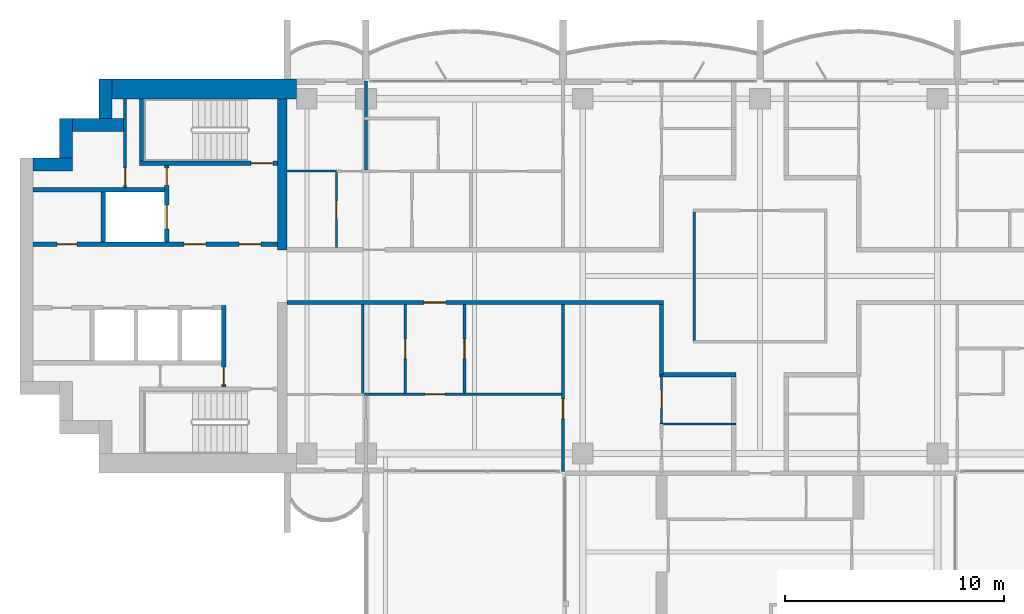
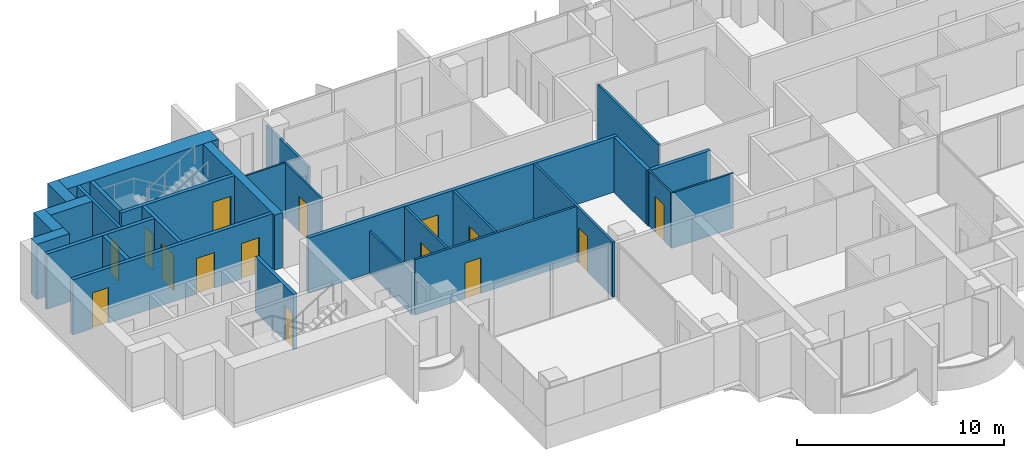
# One storey, part 9 of 18: 28 walls, 15 doors, 15 openings.
"""IFC4 building model written with IfcOpenShell, lengths in metres."""

from ifc_helpers import new_model, si_unit, direction, frame, frame_2d, origin, place, context, subcontext, project, spatial, rectangle, extrude, material, layer, layer_set, type_object, element, fill, save


model = new_model("IFC4")

# Units and contexts
model_context = context("Model", 3, precision=1e-05, world=origin(), true_north=direction((0.0, 1.0)))
body_context = subcontext(model_context, "Body", "Model", "MODEL_VIEW")
ifc_project = project(units=[si_unit("LENGTHUNIT", "METRE"), si_unit("AREAUNIT", "SQUARE_METRE"), si_unit("VOLUMEUNIT", "CUBIC_METRE"), si_unit("PLANEANGLEUNIT", "RADIAN"), si_unit("MASSUNIT", "GRAM", prefix="KILO")], contexts=[model_context])

# Site, building, storey
site_placement = place(None, origin())
site = spatial("IfcSite", under=ifc_project, at=site_placement, CompositionType="ELEMENT")
building_placement = place(site_placement, origin())
building = spatial("IfcBuilding", under=site, at=building_placement, Name="Perihelion Cross Residences", CompositionType="ELEMENT")
storey_placement = place(building_placement, frame((0.0, 0.0, 173.60009765625)))
storey = spatial("IfcBuildingStorey", under=building, at=storey_placement, Name="L42", CompositionType="ELEMENT", Elevation=173.60009765625)

# Wall, opening, door
ifc_material_1 = material(Name="Plasterboard partition")
ifc_layer_1 = layer(ifc_material_1, 0.199951171875)
ifc_layer_set_1 = layer_set([ifc_layer_1], Name="Apartment separation wall 200")
wall_type_1 = type_object("IfcWallType", Name="Apartment separation wall 200", PredefinedType="PARTITIONING", material=ifc_layer_set_1)
wall_1_placement = place(storey_placement, frame((-4.39990234375, -1.199951171875, 0.0), z_axis=(0.0, 0.0, 1.0), x_axis=(-1.0, 0.0, 0.0)))
wall_1 = element("IfcWall", 1, at=wall_1_placement, inside=storey, type_object=wall_type_1, Name="Partition L42 W017", PredefinedType="PARTITIONING", context=body_context, shape_type="SweptSolid", body=[
    extrude(rectangle(XDim=17.2001953125, YDim=0.199951171875, at=frame_2d((8.60009765625, 0.0))), origin(), (0.0, 0.0, 1.0), 3.25),
])
opening_1_placement = place(wall_1_placement, frame((9.949951171875, 0.0, 0.0)))
opening_1 = element("IfcOpeningElement", 2, at=opening_1_placement, cuts=wall_1, Name="Opening L42.A48", PredefinedType="OPENING", context=body_context, shape_type="SweptSolid", body=[
    extrude(rectangle(XDim=1.0, YDim=2.10009765625, at=frame_2d((0.5, 1.050048828125))), frame((0.0, 0.10986328125, 0.0), z_axis=(0.0, -1.0, 0.0), x_axis=(1.0, 0.0, 0.0)), (0.0, 0.0, 1.0), 0.219970703125),
])
ifc_material_2 = material(Name="Timber door leaf", Category="wood")
door_type_1 = type_object("IfcDoorType", Name="Flat entrance door 1000 x 2100", OperationType="SINGLE_SWING_LEFT", PredefinedType="DOOR", material=ifc_material_2)
door_1_placement = place(opening_1_placement, origin())
door_1 = element("IfcDoor", 3, at=door_1_placement, inside=storey, type_object=door_type_1, Name="Door L42.A48", OperationType="SINGLE_SWING_LEFT", OverallHeight=2.10009765625, OverallWidth=1.0, PredefinedType="DOOR", context=body_context, shape_type="SweptSolid", body=[
    extrude(rectangle(XDim=1.0, YDim=2.10009765625, at=frame_2d((0.5, 1.050048828125))), frame((0.0, 0.02490234375, 0.0), z_axis=(0.0, -1.0, 0.0), x_axis=(1.0, 0.0, 0.0)), (0.0, 0.0, 1.0), 0.050048828125),
])
fill(opening_1, door_1)

# Walls
wall_2_placement = place(storey_placement, frame((-4.5, -4.5, 0.0), z_axis=(0.0, 0.0, 1.0), x_axis=(0.0, 1.0, 0.0)))
element("IfcWall", 4, at=wall_2_placement, inside=storey, type_object=wall_type_1, Name="Partition L42 W018", PredefinedType="PARTITIONING", context=body_context, shape_type="SweptSolid", body=[
    extrude(rectangle(XDim=3.199951171875, YDim=0.199951171875, at=frame_2d((1.60009765625, 0.0))), origin(), (0.0, 0.0, 1.0), 3.25),
])
wall_3_placement = place(storey_placement, frame((-1.10009765625, -4.5, 0.0), z_axis=(0.0, 0.0, 1.0), x_axis=(-1.0, 0.0, 0.0)))
element("IfcWall", 5, at=wall_3_placement, inside=storey, type_object=wall_type_1, Name="Partition L42 W020", PredefinedType="PARTITIONING", context=body_context, shape_type="SweptSolid", body=[
    extrude(rectangle(XDim=3.5, YDim=0.199951171875, at=frame_2d((1.75, 0.0))), origin(), (0.0, 0.0, 1.0), 3.25),
])
ifc_material_3 = material(Name="Concrete C60/75", Category="concrete")
ifc_layer_2 = layer(ifc_material_3, 0.449951171875)
ifc_layer_set_2 = layer_set([ifc_layer_2], Name="Core wall, inner 450")
wall_type_2 = type_object("IfcWallType", Name="Core wall, inner 450", PredefinedType="SHEAR", material=ifc_layer_set_2)
wall_4_placement = place(storey_placement, frame((-21.824951171875, 1.199951171875, 0.0), z_axis=(0.0, 0.0, 1.0), x_axis=(0.0, 1.0, 0.0)))
element("IfcWall", 6, at=wall_4_placement, inside=storey, type_object=wall_type_2, Name="West core core wall, inner", PredefinedType="SHEAR", context=body_context, shape_type="SweptSolid", body=[
    extrude(rectangle(XDim=6.900146484375, YDim=0.449951171875, at=frame_2d((3.4501953125, 0.0))), origin(), (0.0, 0.0, 1.0), 3.25),
])
ifc_material_4 = material(Name="Concrete C60/75", Category="concrete")
ifc_layer_3 = layer(ifc_material_4, 0.60009765625)
ifc_layer_set_3 = layer_set([ifc_layer_3], Name="Core wall, outer 600")
wall_type_3 = type_object("IfcWallType", Name="Core wall, outer 600", PredefinedType="SHEAR", material=ifc_layer_set_3)
for number, where, z_axis, x_axis, name in (
    (7, (-33.199951171875, 5.10009765625, 0.0), (0.0, 0.0, 1.0), (1.0, 0.0, 0.0), "West core core wall, outer"),
    (8, (-31.699951171875, 5.39990234375, 0.0), (0.0, 0.0, 1.0), (0.0, 1.0, 0.0), "West core core wall, outer"),
):
    element("IfcWall", number, at=place(storey_placement, frame(where, z_axis=z_axis, x_axis=x_axis)), inside=storey, type_object=wall_type_3, Name=name, PredefinedType="SHEAR", context=body_context, shape_type="SweptSolid", body=[
        extrude(rectangle(XDim=1.800048828125, YDim=0.60009765625, at=frame_2d((0.89990234375, 0.0))), origin(), (0.0, 0.0, 1.0), 3.25),
    ])
wall_5_placement = place(storey_placement, frame((-31.39990234375, 6.89990234375, 0.0), z_axis=(0.0, 0.0, 1.0), x_axis=(1.0, 0.0, 0.0)))
element("IfcWall", 9, at=wall_5_placement, inside=storey, type_object=wall_type_3, Name="West core core wall, outer", PredefinedType="SHEAR", context=body_context, shape_type="SweptSolid", body=[
    extrude(rectangle(XDim=2.324951171875, YDim=0.60009765625, at=frame_2d((1.16259765625, 0.0))), origin(), (0.0, 0.0, 1.0), 3.25),
])
wall_6_placement = place(storey_placement, frame((-29.89990234375, 7.199951171875, 0.0), z_axis=(0.0, 0.0, 1.0), x_axis=(0.0, 1.0, 0.0)))
element("IfcWall", 10, at=wall_6_placement, inside=storey, type_object=wall_type_3, Name="West core core wall, outer", PredefinedType="SHEAR", context=body_context, shape_type="SweptSolid", body=[
    extrude(rectangle(XDim=1.800048828125, YDim=0.60009765625, at=frame_2d((0.89990234375, 0.0))), origin(), (0.0, 0.0, 1.0), 3.25),
])
ifc_material_5 = material(Name="Concrete C60/75", Category="concrete")
ifc_layer_4 = layer(ifc_material_5, 0.89990234375)
ifc_layer_set_4 = layer_set([ifc_layer_4], Name="Core wall, outer 900")
wall_type_4 = type_object("IfcWallType", Name="Core wall, outer 900", PredefinedType="SHEAR", material=ifc_layer_set_4)
wall_7_placement = place(storey_placement, frame((-29.60009765625, 8.550048828125, 0.0), z_axis=(0.0, 0.0, 1.0), x_axis=(1.0, 0.0, 0.0)))
element("IfcWall", 11, at=wall_7_placement, inside=storey, type_object=wall_type_4, Name="West core core wall, outer", PredefinedType="SHEAR", context=body_context, shape_type="SweptSolid", body=[
    extrude(rectangle(XDim=8.425048828125, YDim=0.89990234375, at=frame_2d((4.21240234375, 0.0))), origin(), (0.0, 0.0, 1.0), 3.25),
])

# Wall, opening, door
ifc_material_6 = material(Name="Concrete C50/60", Category="concrete")
ifc_layer_5 = layer(ifc_material_6, 0.199951171875)
ifc_layer_set_5 = layer_set([ifc_layer_5], Name="Lobby wall 200")
wall_type_5 = type_object("IfcWallType", Name="Lobby wall 200", PredefinedType="SOLIDWALL", material=ifc_layer_set_5)
wall_8_placement = place(storey_placement, frame((-24.5, -5.050048828125, 0.0), z_axis=(0.0, 0.0, 1.0), x_axis=(0.0, 1.0, 0.0)))
wall_8 = element("IfcWall", 12, at=wall_8_placement, inside=storey, type_object=wall_type_5, Name="West core lobby wall", PredefinedType="SOLIDWALL", context=body_context, shape_type="SweptSolid", body=[
    extrude(rectangle(XDim=3.699951171875, YDim=0.199951171875, at=frame_2d((1.85009765625, 0.0))), origin(), (0.0, 0.0, 1.0), 3.25),
])
opening_2_placement = place(wall_8_placement, frame((0.10009765625, 0.0, 0.0)))
opening_2 = element("IfcOpeningElement", 13, at=opening_2_placement, cuts=wall_8, Name="Opening L42.C22", PredefinedType="OPENING", context=body_context, shape_type="SweptSolid", body=[
    extrude(rectangle(XDim=0.800048828125, YDim=2.10009765625, at=frame_2d((0.39990234375, 1.050048828125))), frame((0.0, 0.10986328125, 0.0), z_axis=(0.0, -1.0, 0.0), x_axis=(1.0, 0.0, 0.0)), (0.0, 0.0, 1.0), 0.219970703125),
])
ifc_material_7 = material(Name="Steel, powder coated", Category="steel")
door_type_2 = type_object("IfcDoorType", Name="Riser door 800", OperationType="SINGLE_SWING_LEFT", PredefinedType="DOOR", material=ifc_material_7)
door_2_placement = place(opening_2_placement, origin())
door_2 = element("IfcDoor", 14, at=door_2_placement, inside=storey, type_object=door_type_2, Name="West core riser door", OperationType="SINGLE_SWING_LEFT", OverallHeight=2.10009765625, OverallWidth=0.800048828125, PredefinedType="DOOR", context=body_context, shape_type="SweptSolid", body=[
    extrude(rectangle(XDim=0.800048828125, YDim=2.10009765625, at=frame_2d((0.39990234375, 1.050048828125))), frame((0.0, 0.02490234375, 0.0), z_axis=(0.0, -1.0, 0.0), x_axis=(1.0, 0.0, 0.0)), (0.0, 0.0, 1.0), 0.050048828125),
])
fill(opening_2, door_2)

# Walls
ifc_material_8 = material(Name="Plasterboard partition")
ifc_layer_6 = layer(ifc_material_8, 0.1201171875)
ifc_layer_set_6 = layer_set([ifc_layer_6], Name="Partition wall 120")
wall_type_6 = type_object("IfcWallType", Name="Partition wall 120", PredefinedType="PARTITIONING", material=ifc_layer_set_6)
wall_9_placement = place(storey_placement, frame((-3.0, 2.93994140625, 0.0), z_axis=(0.0, 0.0, 1.0), x_axis=(0.0, -1.0, 0.0)))
element("IfcWall", 15, at=wall_9_placement, inside=storey, type_object=wall_type_6, Name="Partition L42 W004", PredefinedType="PARTITIONING", context=body_context, shape_type="SweptSolid", body=[
    extrude(rectangle(XDim=5.8798828125, YDim=0.1201171875, at=frame_2d((2.93994140625, 0.0))), origin(), (0.0, 0.0, 1.0), 3.25),
])
wall_10_placement = place(storey_placement, frame((-18.0, 4.860107421875, 0.0), z_axis=(0.0, 0.0, 1.0), x_axis=(0.0, 1.0, 0.0)))
element("IfcWall", 16, at=wall_10_placement, inside=storey, type_object=wall_type_6, Name="Partition L42 W059", PredefinedType="PARTITIONING", context=body_context, shape_type="SweptSolid", body=[
    extrude(rectangle(XDim=4.059814453125, YDim=0.1201171875, at=frame_2d((2.02978515625, 0.0))), origin(), (0.0, 0.0, 1.0), 2.47998046875),
])

# Wall, opening, door
wall_11_placement = place(storey_placement, frame((-13.5, -5.340087890625, 0.0), z_axis=(0.0, 0.0, 1.0), x_axis=(0.0, 1.0, 0.0)))
wall_11 = element("IfcWall", 17, at=wall_11_placement, inside=storey, type_object=wall_type_6, Name="Partition L42 W063", PredefinedType="PARTITIONING", context=body_context, shape_type="SweptSolid", body=[
    extrude(rectangle(XDim=4.0400390625, YDim=0.1201171875, at=frame_2d((2.02001953125, 0.0))), origin(), (0.0, 0.0, 1.0), 3.25),
])
opening_3_placement = place(wall_11_placement, frame((1.570068359375, 0.0, 0.0)))
opening_3 = element("IfcOpeningElement", 18, at=opening_3_placement, cuts=wall_11, Name="Opening L42.A32", PredefinedType="OPENING", context=body_context, shape_type="SweptSolid", body=[
    extrude(rectangle(XDim=0.89990234375, YDim=2.10009765625, at=frame_2d((0.449951171875, 1.050048828125))), frame((0.0, 0.070068359375, 0.0), z_axis=(0.0, -1.0, 0.0), x_axis=(1.0, 0.0, 0.0)), (0.0, 0.0, 1.0), 0.14013671875),
])
ifc_material_9 = material(Name="Timber door leaf", Category="wood")
door_type_3 = type_object("IfcDoorType", Name="Interior room door 900 x 2100", OperationType="SINGLE_SWING_LEFT", PredefinedType="DOOR", material=ifc_material_9)
door_3_placement = place(opening_3_placement, origin())
door_3 = element("IfcDoor", 19, at=door_3_placement, inside=storey, type_object=door_type_3, Name="Door L42.A32", OperationType="SINGLE_SWING_LEFT", OverallHeight=2.10009765625, OverallWidth=0.89990234375, PredefinedType="DOOR", context=body_context, shape_type="SweptSolid", body=[
    extrude(rectangle(XDim=0.89990234375, YDim=2.10009765625, at=frame_2d((0.449951171875, 1.050048828125))), frame((0.0, 0.02490234375, 0.0), z_axis=(0.0, -1.0, 0.0), x_axis=(1.0, 0.0, 0.0)), (0.0, 0.0, 1.0), 0.050048828125),
])
fill(opening_3, door_3)

wall_12_placement = place(storey_placement, frame((-8.93994140625, -5.39990234375, 0.0), z_axis=(0.0, 0.0, 1.0), x_axis=(-1.0, 0.0, 0.0)))
wall_12 = element("IfcWall", 20, at=wall_12_placement, inside=storey, type_object=wall_type_6, Name="Partition L42 W064", PredefinedType="PARTITIONING", context=body_context, shape_type="SweptSolid", body=[
    extrude(rectangle(XDim=9.1201171875, YDim=0.1201171875, at=frame_2d((4.56005859375, 0.0))), origin(), (0.0, 0.0, 1.0), 3.25),
])
opening_4_placement = place(wall_12_placement, frame((5.4599609375, 0.0, 0.0)))
opening_4 = element("IfcOpeningElement", 21, at=opening_4_placement, cuts=wall_12, Name="Opening L42.A38", PredefinedType="OPENING", context=body_context, shape_type="SweptSolid", body=[
    extrude(rectangle(XDim=0.89990234375, YDim=2.10009765625, at=frame_2d((0.449951171875, 1.050048828125))), frame((0.0, 0.070068359375, 0.0), z_axis=(0.0, -1.0, 0.0), x_axis=(1.0, 0.0, 0.0)), (0.0, 0.0, 1.0), 0.14013671875),
])
door_4_placement = place(opening_4_placement, origin())
door_4 = element("IfcDoor", 22, at=door_4_placement, inside=storey, type_object=door_type_3, Name="Door L42.A38", OperationType="SINGLE_SWING_RIGHT", OverallHeight=2.10009765625, OverallWidth=0.89990234375, PredefinedType="DOOR", context=body_context, shape_type="SweptSolid", body=[
    extrude(rectangle(XDim=0.89990234375, YDim=2.10009765625, at=frame_2d((0.449951171875, 1.050048828125))), frame((0.0, 0.02490234375, 0.0), z_axis=(0.0, -1.0, 0.0), x_axis=(1.0, 0.0, 0.0)), (0.0, 0.0, 1.0), 0.050048828125),
])
fill(opening_4, door_4)

wall_13_placement = place(storey_placement, frame((-9.0, -1.300048828125, 0.0), z_axis=(0.0, 0.0, 1.0), x_axis=(0.0, -1.0, 0.0)))
wall_13 = element("IfcWall", 23, at=wall_13_placement, inside=storey, type_object=wall_type_6, Name="Partition L42 W065", PredefinedType="PARTITIONING", context=body_context, shape_type="SweptSolid", body=[
    extrude(rectangle(XDim=7.619873046875, YDim=0.1201171875, at=frame_2d((3.81005859375, 0.0))), origin(), (0.0, 0.0, 1.0), 3.25),
])
opening_5_placement = place(wall_13_placement, frame((4.300048828125, 0.0, 0.0)))
opening_5 = element("IfcOpeningElement", 24, at=opening_5_placement, cuts=wall_13, Name="Opening L42.A34", PredefinedType="OPENING", context=body_context, shape_type="SweptSolid", body=[
    extrude(rectangle(XDim=0.89990234375, YDim=2.10009765625, at=frame_2d((0.449951171875, 1.050048828125))), frame((0.0, 0.070068359375, 0.0), z_axis=(0.0, -1.0, 0.0), x_axis=(1.0, 0.0, 0.0)), (0.0, 0.0, 1.0), 0.14013671875),
])
door_5_placement = place(opening_5_placement, origin())
door_5 = element("IfcDoor", 25, at=door_5_placement, inside=storey, type_object=door_type_3, Name="Door L42.A34", OperationType="SINGLE_SWING_RIGHT", OverallHeight=2.10009765625, OverallWidth=0.89990234375, PredefinedType="DOOR", context=body_context, shape_type="SweptSolid", body=[
    extrude(rectangle(XDim=0.89990234375, YDim=2.10009765625, at=frame_2d((0.449951171875, 1.050048828125))), frame((0.0, 0.02490234375, 0.0), z_axis=(0.0, -1.0, 0.0), x_axis=(1.0, 0.0, 0.0)), (0.0, 0.0, 1.0), 0.050048828125),
])
fill(opening_5, door_5)

wall_14_placement = place(storey_placement, frame((-16.199951171875, -5.340087890625, 0.0), z_axis=(0.0, 0.0, 1.0), x_axis=(0.0, 1.0, 0.0)))
wall_14 = element("IfcWall", 26, at=wall_14_placement, inside=storey, type_object=wall_type_6, Name="Partition L42 W066", PredefinedType="PARTITIONING", context=body_context, shape_type="SweptSolid", body=[
    extrude(rectangle(XDim=4.0400390625, YDim=0.1201171875, at=frame_2d((2.02001953125, 0.0))), origin(), (0.0, 0.0, 1.0), 3.25),
])
opening_6_placement = place(wall_14_placement, frame((1.570068359375, 0.0, 0.0)))
opening_6 = element("IfcOpeningElement", 27, at=opening_6_placement, cuts=wall_14, Name="Opening L42.A31", PredefinedType="OPENING", context=body_context, shape_type="SweptSolid", body=[
    extrude(rectangle(XDim=0.89990234375, YDim=2.10009765625, at=frame_2d((0.449951171875, 1.050048828125))), frame((0.0, 0.070068359375, 0.0), z_axis=(0.0, -1.0, 0.0), x_axis=(1.0, 0.0, 0.0)), (0.0, 0.0, 1.0), 0.14013671875),
])
door_6_placement = place(opening_6_placement, origin())
door_6 = element("IfcDoor", 28, at=door_6_placement, inside=storey, type_object=door_type_3, Name="Door L42.A31", OperationType="SINGLE_SWING_RIGHT", OverallHeight=2.10009765625, OverallWidth=0.89990234375, PredefinedType="DOOR", context=body_context, shape_type="SweptSolid", body=[
    extrude(rectangle(XDim=0.89990234375, YDim=2.10009765625, at=frame_2d((0.449951171875, 1.050048828125))), frame((0.0, 0.02490234375, 0.0), z_axis=(0.0, -1.0, 0.0), x_axis=(1.0, 0.0, 0.0)), (0.0, 0.0, 1.0), 0.050048828125),
])
fill(opening_6, door_6)

ifc_material_10 = material(Name="Fire-rated board on steel stud", Category="steel")
ifc_layer_7 = layer(ifc_material_10, 0.14990234375)
ifc_layer_set_7 = layer_set([ifc_layer_7], Name="Riser wall 150")
wall_type_7 = type_object("IfcWallType", Name="Riser wall 150", PredefinedType="PARTITIONING", material=ifc_layer_set_7)
wall_15_placement = place(storey_placement, frame((-29.0, 4.050048828125, 0.0), z_axis=(0.0, 0.0, 1.0), x_axis=(0.0, 1.0, 0.0)))
wall_15 = element("IfcWall", 29, at=wall_15_placement, inside=storey, type_object=wall_type_7, Name="West core riser wall", PredefinedType="PARTITIONING", context=body_context, shape_type="SweptSolid", body=[
    extrude(rectangle(XDim=4.050048828125, YDim=0.14990234375, at=frame_2d((2.02490234375, 0.0))), origin(), (0.0, 0.0, 1.0), 3.25),
])
opening_7_placement = place(wall_15_placement, frame((0.10009765625, 0.0, 0.0)))
opening_7 = element("IfcOpeningElement", 30, at=opening_7_placement, cuts=wall_15, Name="Opening L42.C26", PredefinedType="OPENING", context=body_context, shape_type="SweptSolid", body=[
    extrude(rectangle(XDim=0.800048828125, YDim=2.10009765625, at=frame_2d((0.39990234375, 1.050048828125))), frame((0.0, 0.0849609375, 0.0), z_axis=(0.0, -1.0, 0.0), x_axis=(1.0, 0.0, 0.0)), (0.0, 0.0, 1.0), 0.169921875),
])
door_7_placement = place(opening_7_placement, origin())
door_7 = element("IfcDoor", 31, at=door_7_placement, inside=storey, type_object=door_type_2, Name="West core riser door", OperationType="SINGLE_SWING_LEFT", OverallHeight=2.10009765625, OverallWidth=0.800048828125, PredefinedType="DOOR", context=body_context, shape_type="SweptSolid", body=[
    extrude(rectangle(XDim=0.800048828125, YDim=2.10009765625, at=frame_2d((0.39990234375, 1.050048828125))), frame((0.0, 0.02490234375, 0.0), z_axis=(0.0, -1.0, 0.0), x_axis=(1.0, 0.0, 0.0)), (0.0, 0.0, 1.0), 0.050048828125),
])
fill(opening_7, door_7)

# Wall, openings, doors
ifc_material_11 = material(Name="Concrete C50/60", Category="concrete")
ifc_layer_8 = layer(ifc_material_11, 0.199951171875)
ifc_layer_set_8 = layer_set([ifc_layer_8], Name="Shaft wall 200")
wall_type_8 = type_object("IfcWallType", Name="Shaft wall 200", PredefinedType="SOLIDWALL", material=ifc_layer_set_8)
wall_16_placement = place(storey_placement, frame((-33.199951171875, 1.449951171875, 0.0), z_axis=(0.0, 0.0, 1.0), x_axis=(1.0, 0.0, 0.0)))
wall_16 = element("IfcWall", 32, at=wall_16_placement, inside=storey, type_object=wall_type_8, Name="West core shaft wall", PredefinedType="SOLIDWALL", context=body_context, shape_type="SweptSolid", body=[
    extrude(rectangle(XDim=11.14990234375, YDim=0.199951171875, at=frame_2d((5.574951171875, 0.0))), origin(), (0.0, 0.0, 1.0), 3.25),
])
opening_8_placement = place(wall_16_placement, frame((9.39990234375, 0.0, 0.0)))
opening_8 = element("IfcOpeningElement", 33, at=opening_8_placement, cuts=wall_16, Name="Opening L42.C21", PredefinedType="OPENING", context=body_context, shape_type="SweptSolid", body=[
    extrude(rectangle(XDim=1.0, YDim=2.10009765625, at=frame_2d((0.5, 1.050048828125))), frame((0.0, 0.10986328125, 0.0), z_axis=(0.0, -1.0, 0.0), x_axis=(1.0, 0.0, 0.0)), (0.0, 0.0, 1.0), 0.219970703125),
])
opening_9_placement = place(wall_16_placement, frame((6.89990234375, 0.0, 0.0)))
opening_9 = element("IfcOpeningElement", 34, at=opening_9_placement, cuts=wall_16, Name="Opening L42.C23", PredefinedType="OPENING", context=body_context, shape_type="SweptSolid", body=[
    extrude(rectangle(XDim=1.0, YDim=2.10009765625, at=frame_2d((0.5, 1.050048828125))), frame((0.0, 0.10986328125, 0.0), z_axis=(0.0, -1.0, 0.0), x_axis=(1.0, 0.0, 0.0)), (0.0, 0.0, 1.0), 0.219970703125),
])
opening_10_placement = place(wall_16_placement, frame((1.10009765625, 0.0, 0.0)))
opening_10 = element("IfcOpeningElement", 35, at=opening_10_placement, cuts=wall_16, Name="Opening L42.C27", PredefinedType="OPENING", context=body_context, shape_type="SweptSolid", body=[
    extrude(rectangle(XDim=0.89990234375, YDim=2.10009765625, at=frame_2d((0.449951171875, 1.050048828125))), frame((0.0, 0.10986328125, 0.0), z_axis=(0.0, -1.0, 0.0), x_axis=(1.0, 0.0, 0.0)), (0.0, 0.0, 1.0), 0.219970703125),
])
ifc_material_12 = material(Name="Steel, powder coated", Category="steel")
door_type_4 = type_object("IfcDoorType", Name="Lobby door 1000", OperationType="SINGLE_SWING_LEFT", PredefinedType="DOOR", material=ifc_material_12)
door_8_placement = place(opening_8_placement, origin())
door_8 = element("IfcDoor", 36, at=door_8_placement, inside=storey, type_object=door_type_4, Name="West core firefighting lobby door", OperationType="SINGLE_SWING_LEFT", OverallHeight=2.10009765625, OverallWidth=1.0, PredefinedType="DOOR", context=body_context, shape_type="SweptSolid", body=[
    extrude(rectangle(XDim=1.0, YDim=2.10009765625, at=frame_2d((0.5, 1.050048828125))), frame((0.0, 0.02490234375, 0.0), z_axis=(0.0, -1.0, 0.0), x_axis=(1.0, 0.0, 0.0)), (0.0, 0.0, 1.0), 0.050048828125),
])
fill(opening_8, door_8)
door_9_placement = place(opening_9_placement, origin())
door_9 = element("IfcDoor", 37, at=door_9_placement, inside=storey, type_object=door_type_4, Name="West core firefighting lobby door", OperationType="SINGLE_SWING_LEFT", OverallHeight=2.10009765625, OverallWidth=1.0, PredefinedType="DOOR", context=body_context, shape_type="SweptSolid", body=[
    extrude(rectangle(XDim=1.0, YDim=2.10009765625, at=frame_2d((0.5, 1.050048828125))), frame((0.0, 0.02490234375, 0.0), z_axis=(0.0, -1.0, 0.0), x_axis=(1.0, 0.0, 0.0)), (0.0, 0.0, 1.0), 0.050048828125),
])
fill(opening_9, door_9)
ifc_material_13 = material(Name="Steel, powder coated", Category="steel")
door_type_5 = type_object("IfcDoorType", Name="Service room door 900", OperationType="SINGLE_SWING_LEFT", PredefinedType="DOOR", material=ifc_material_13)
door_10_placement = place(opening_10_placement, origin())
door_10 = element("IfcDoor", 38, at=door_10_placement, inside=storey, type_object=door_type_5, Name="West core service room door", OperationType="SINGLE_SWING_LEFT", OverallHeight=2.10009765625, OverallWidth=0.89990234375, PredefinedType="DOOR", context=body_context, shape_type="SweptSolid", body=[
    extrude(rectangle(XDim=0.89990234375, YDim=2.10009765625, at=frame_2d((0.449951171875, 1.050048828125))), frame((0.0, 0.02490234375, 0.0), z_axis=(0.0, -1.0, 0.0), x_axis=(1.0, 0.0, 0.0)), (0.0, 0.0, 1.0), 0.050048828125),
])
fill(opening_10, door_10)

# Wall
wall_17_placement = place(storey_placement, frame((-33.199951171875, 3.949951171875, 0.0), z_axis=(0.0, 0.0, 1.0), x_axis=(1.0, 0.0, 0.0)))
element("IfcWall", 39, at=wall_17_placement, inside=storey, type_object=wall_type_8, Name="West core shaft wall", PredefinedType="SOLIDWALL", context=body_context, shape_type="SweptSolid", body=[
    extrude(rectangle(XDim=6.0, YDim=0.199951171875, at=frame_2d((3.0, 0.0))), origin(), (0.0, 0.0, 1.0), 3.25),
])

# Wall, openings, doors
wall_18_placement = place(storey_placement, frame((-27.10009765625, 1.550048828125, 0.0), z_axis=(0.0, 0.0, 1.0), x_axis=(0.0, 1.0, 0.0)))
wall_18 = element("IfcWall", 40, at=wall_18_placement, inside=storey, type_object=wall_type_8, Name="West core shaft wall", PredefinedType="SOLIDWALL", context=body_context, shape_type="SweptSolid", body=[
    extrude(rectangle(XDim=3.5, YDim=0.199951171875, at=frame_2d((1.75, 0.0))), origin(), (0.0, 0.0, 1.0), 3.25),
])
opening_11_placement = place(wall_18_placement, frame((0.60009765625, 0.0, 0.0)))
opening_11 = element("IfcOpeningElement", 41, at=opening_11_placement, cuts=wall_18, Name="Opening L42.C16", PredefinedType="OPENING", context=body_context, shape_type="SweptSolid", body=[
    extrude(rectangle(XDim=1.10009765625, YDim=2.10009765625, at=frame_2d((0.550048828125, 1.050048828125))), frame((0.0, 0.10986328125, 0.0), z_axis=(0.0, -1.0, 0.0), x_axis=(1.0, 0.0, 0.0)), (0.0, 0.0, 1.0), 0.219970703125),
])
opening_12_placement = place(wall_18_placement, frame((2.60009765625, 0.0, 0.0)))
opening_12 = element("IfcOpeningElement", 42, at=opening_12_placement, cuts=wall_18, Name="Opening L42.C24", PredefinedType="OPENING", context=body_context, shape_type="SweptSolid", body=[
    extrude(rectangle(XDim=0.800048828125, YDim=2.10009765625, at=frame_2d((0.39990234375, 1.050048828125))), frame((0.0, 0.10986328125, 0.0), z_axis=(0.0, -1.0, 0.0), x_axis=(1.0, 0.0, 0.0)), (0.0, 0.0, 1.0), 0.219970703125),
])
ifc_material_14 = material(Name="Stainless steel", Category="steel")
door_type_6 = type_object("IfcDoorType", Name="Landing door, firefighting lift 1100", OperationType="DOUBLE_DOOR_SLIDING", PredefinedType="DOOR", material=ifc_material_14)
door_11_placement = place(opening_11_placement, origin())
door_11 = element("IfcDoor", 43, at=door_11_placement, inside=storey, type_object=door_type_6, Name="Landing door, West core firefighting and service lift", OperationType="DOUBLE_DOOR_SLIDING", OverallHeight=2.10009765625, OverallWidth=1.10009765625, PredefinedType="DOOR", context=body_context, shape_type="SweptSolid", body=[
    extrude(rectangle(XDim=1.10009765625, YDim=2.10009765625, at=frame_2d((0.550048828125, 1.050048828125))), frame((0.0, 0.02490234375, 0.0), z_axis=(0.0, -1.0, 0.0), x_axis=(1.0, 0.0, 0.0)), (0.0, 0.0, 1.0), 0.050048828125),
])
fill(opening_11, door_11)
door_12_placement = place(opening_12_placement, origin())
door_12 = element("IfcDoor", 44, at=door_12_placement, inside=storey, type_object=door_type_2, Name="West core riser door", OperationType="SINGLE_SWING_LEFT", OverallHeight=2.10009765625, OverallWidth=0.800048828125, PredefinedType="DOOR", context=body_context, shape_type="SweptSolid", body=[
    extrude(rectangle(XDim=0.800048828125, YDim=2.10009765625, at=frame_2d((0.39990234375, 1.050048828125))), frame((0.0, 0.02490234375, 0.0), z_axis=(0.0, -1.0, 0.0), x_axis=(1.0, 0.0, 0.0)), (0.0, 0.0, 1.0), 0.050048828125),
])
fill(opening_12, door_12)

# Wall
wall_19_placement = place(storey_placement, frame((-30.0, 1.550048828125, 0.0), z_axis=(0.0, 0.0, 1.0), x_axis=(0.0, 1.0, 0.0)))
element("IfcWall", 45, at=wall_19_placement, inside=storey, type_object=wall_type_8, Name="West core shaft wall", PredefinedType="SOLIDWALL", context=body_context, shape_type="SweptSolid", body=[
    extrude(rectangle(XDim=2.300048828125, YDim=0.199951171875, at=frame_2d((1.14990234375, 0.0))), origin(), (0.0, 0.0, 1.0), 3.25),
])

# Wall, opening, door
ifc_material_15 = material(Name="Concrete C50/60", Category="concrete")
ifc_layer_9 = layer(ifc_material_15, 0.199951171875)
ifc_layer_set_9 = layer_set([ifc_layer_9], Name="Stair wall 200")
wall_type_9 = type_object("IfcWallType", Name="Stair wall 200", PredefinedType="SOLIDWALL", material=ifc_layer_set_9)
wall_20_placement = place(storey_placement, frame((-28.35009765625, 5.14990234375, 0.0), z_axis=(0.0, 0.0, 1.0), x_axis=(1.0, 0.0, 0.0)))
wall_20 = element("IfcWall", 46, at=wall_20_placement, inside=storey, type_object=wall_type_9, Name="West core stair wall", PredefinedType="SOLIDWALL", context=body_context, shape_type="SweptSolid", body=[
    extrude(rectangle(XDim=6.300048828125, YDim=0.199951171875, at=frame_2d((3.14990234375, 0.0))), origin(), (0.0, 0.0, 1.0), 3.25),
])
opening_13_placement = place(wall_20_placement, frame((5.10009765625, 0.0, 0.0)))
opening_13 = element("IfcOpeningElement", 47, at=opening_13_placement, cuts=wall_20, Name="Opening L42.C20", PredefinedType="OPENING", context=body_context, shape_type="SweptSolid", body=[
    extrude(rectangle(XDim=1.0, YDim=2.10009765625, at=frame_2d((0.5, 1.050048828125))), frame((0.0, 0.10986328125, 0.0), z_axis=(0.0, -1.0, 0.0), x_axis=(1.0, 0.0, 0.0)), (0.0, 0.0, 1.0), 0.219970703125),
])
ifc_material_16 = material(Name="Steel, powder coated", Category="steel")
door_type_7 = type_object("IfcDoorType", Name="Stair door 1000", OperationType="SINGLE_SWING_LEFT", PredefinedType="DOOR", material=ifc_material_16)
door_13_placement = place(opening_13_placement, origin())
door_13 = element("IfcDoor", 48, at=door_13_placement, inside=storey, type_object=door_type_7, Name="West core stair door", OperationType="SINGLE_SWING_LEFT", OverallHeight=2.10009765625, OverallWidth=1.0, PredefinedType="DOOR", context=body_context, shape_type="SweptSolid", body=[
    extrude(rectangle(XDim=1.0, YDim=2.10009765625, at=frame_2d((0.5, 1.050048828125))), frame((0.0, 0.02490234375, 0.0), z_axis=(0.0, -1.0, 0.0), x_axis=(1.0, 0.0, 0.0)), (0.0, 0.0, 1.0), 0.050048828125),
])
fill(opening_13, door_13)

# Wall
wall_21_placement = place(storey_placement, frame((-28.25, 5.25, 0.0), z_axis=(0.0, 0.0, 1.0), x_axis=(0.0, 1.0, 0.0)))
element("IfcWall", 49, at=wall_21_placement, inside=storey, type_object=wall_type_9, Name="West core stair wall", PredefinedType="SOLIDWALL", context=body_context, shape_type="SweptSolid", body=[
    extrude(rectangle(XDim=2.85009765625, YDim=0.199951171875, at=frame_2d((1.425048828125, 0.0))), origin(), (0.0, 0.0, 1.0), 3.25),
])

# Wall, opening, door
ifc_material_17 = material(Name="Plasterboard partition")
ifc_layer_10 = layer(ifc_material_17, 0.10009765625)
ifc_layer_set_10 = layer_set([ifc_layer_10], Name="Wet room wall 100")
wall_type_10 = type_object("IfcWallType", Name="Wet room wall 100", PredefinedType="PARTITIONING", material=ifc_layer_set_10)
wall_22_placement = place(storey_placement, frame((-19.35009765625, 1.300048828125, 0.0), z_axis=(0.0, 0.0, 1.0), x_axis=(0.0, 1.0, 0.0)))
wall_22 = element("IfcWall", 50, at=wall_22_placement, inside=storey, type_object=wall_type_10, Name="Partition L42 W055", PredefinedType="PARTITIONING", context=body_context, shape_type="SweptSolid", body=[
    extrude(rectangle(XDim=3.43994140625, YDim=0.10009765625, at=frame_2d((1.719970703125, 0.0))), origin(), (0.0, 0.0, 1.0), 3.25),
])
opening_14_placement = place(wall_22_placement, frame((1.294921875, 0.0, 0.0)))
opening_14 = element("IfcOpeningElement", 51, at=opening_14_placement, cuts=wall_22, Name="Opening L42.A23", PredefinedType="OPENING", context=body_context, shape_type="SweptSolid", body=[
    extrude(rectangle(XDim=0.85009765625, YDim=2.10009765625, at=frame_2d((0.425048828125, 1.050048828125))), frame((0.0, 0.06005859375, 0.0), z_axis=(0.0, -1.0, 0.0), x_axis=(1.0, 0.0, 0.0)), (0.0, 0.0, 1.0), 0.1201171875),
])
ifc_material_18 = material(Name="Timber door leaf", Category="wood")
door_type_8 = type_object("IfcDoorType", Name="Interior bathroom door 850 x 2100", OperationType="SINGLE_SWING_LEFT", PredefinedType="DOOR", material=ifc_material_18)
door_14_placement = place(opening_14_placement, origin())
door_14 = element("IfcDoor", 52, at=door_14_placement, inside=storey, type_object=door_type_8, Name="Door L42.A23", OperationType="SINGLE_SWING_LEFT", OverallHeight=2.10009765625, OverallWidth=0.85009765625, PredefinedType="DOOR", context=body_context, shape_type="SweptSolid", body=[
    extrude(rectangle(XDim=0.85009765625, YDim=2.10009765625, at=frame_2d((0.425048828125, 1.050048828125))), frame((0.0, 0.02490234375, 0.0), z_axis=(0.0, -1.0, 0.0), x_axis=(1.0, 0.0, 0.0)), (0.0, 0.0, 1.0), 0.050048828125),
])
fill(opening_14, door_14)

# Walls
wall_23_placement = place(storey_placement, frame((-21.60009765625, 4.800048828125, 0.0), z_axis=(0.0, 0.0, 1.0), x_axis=(1.0, 0.0, 0.0)))
element("IfcWall", 53, at=wall_23_placement, inside=storey, type_object=wall_type_10, Name="Partition L42 W056", PredefinedType="PARTITIONING", context=body_context, shape_type="SweptSolid", body=[
    extrude(rectangle(XDim=2.25, YDim=0.10009765625, at=frame_2d((1.125, 0.0))), origin(), (0.0, 0.0, 1.0), 3.25),
])
wall_24_placement = place(storey_placement, frame((-18.14990234375, -5.35009765625, 0.0), z_axis=(0.0, 0.0, 1.0), x_axis=(0.0, 1.0, 0.0)))
element("IfcWall", 54, at=wall_24_placement, inside=storey, type_object=wall_type_10, Name="Partition L42 W067", PredefinedType="PARTITIONING", context=body_context, shape_type="SweptSolid", body=[
    extrude(rectangle(XDim=4.050048828125, YDim=0.10009765625, at=frame_2d((2.02490234375, 0.0))), origin(), (0.0, 0.0, 1.0), 2.47998046875),
])

# Wall, opening, door
wall_25_placement = place(storey_placement, frame((-4.5, -4.5, 0.0), z_axis=(0.0, 0.0, 1.0), x_axis=(0.0, -1.0, 0.0)))
wall_25 = element("IfcWall", 55, at=wall_25_placement, inside=storey, type_object=wall_type_10, Name="Partition L42 W070", PredefinedType="PARTITIONING", context=body_context, shape_type="SweptSolid", body=[
    extrude(rectangle(XDim=2.25, YDim=0.10009765625, at=frame_2d((1.125, 0.0))), origin(), (0.0, 0.0, 1.0), 3.25),
])
opening_15_placement = place(wall_25_placement, frame((0.699951171875, 0.0, 0.0)))
opening_15 = element("IfcOpeningElement", 56, at=opening_15_placement, cuts=wall_25, Name="Opening L42.A36", PredefinedType="OPENING", context=body_context, shape_type="SweptSolid", body=[
    extrude(rectangle(XDim=0.85009765625, YDim=2.10009765625, at=frame_2d((0.425048828125, 1.050048828125))), frame((0.0, 0.06005859375, 0.0), z_axis=(0.0, -1.0, 0.0), x_axis=(1.0, 0.0, 0.0)), (0.0, 0.0, 1.0), 0.1201171875),
])
door_15_placement = place(opening_15_placement, origin())
door_15 = element("IfcDoor", 57, at=door_15_placement, inside=storey, type_object=door_type_8, Name="Door L42.A36", OperationType="SINGLE_SWING_RIGHT", OverallHeight=2.10009765625, OverallWidth=0.85009765625, PredefinedType="DOOR", context=body_context, shape_type="SweptSolid", body=[
    extrude(rectangle(XDim=0.85009765625, YDim=2.10009765625, at=frame_2d((0.425048828125, 1.050048828125))), frame((0.0, 0.02490234375, 0.0), z_axis=(0.0, -1.0, 0.0), x_axis=(1.0, 0.0, 0.0)), (0.0, 0.0, 1.0), 0.050048828125),
])
fill(opening_15, door_15)

# Wall
wall_26_placement = place(storey_placement, frame((-1.10009765625, -6.75, 0.0), z_axis=(0.0, 0.0, 1.0), x_axis=(-1.0, 0.0, 0.0)))
element("IfcWall", 58, at=wall_26_placement, inside=storey, type_object=wall_type_10, Name="Partition L42 W072", PredefinedType="PARTITIONING", context=body_context, shape_type="SweptSolid", body=[
    extrude(rectangle(XDim=3.4599609375, YDim=0.10009765625, at=frame_2d((1.72998046875, 0.0))), origin(), (0.0, 0.0, 1.0), 3.25),
])

save(model, "model.ifc")
